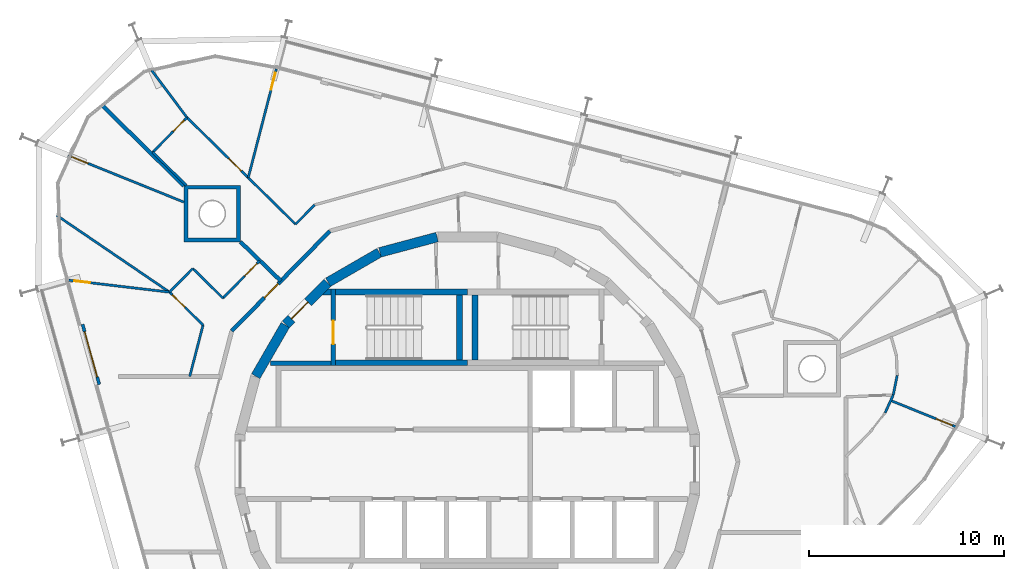
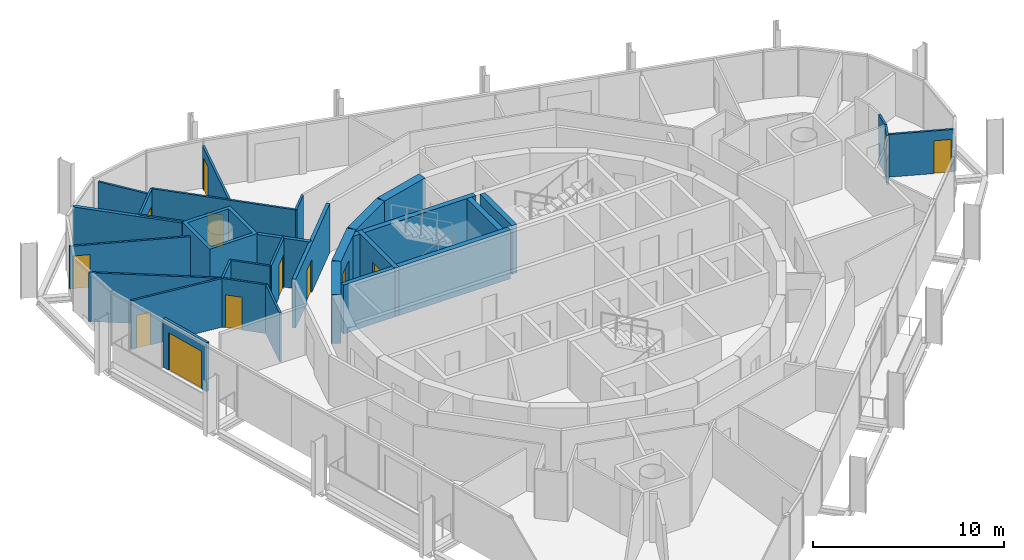
# One storey, part 12 of 15: 33 walls, 12 doors, 12 openings.
"""IFC4 building model written with IfcOpenShell, lengths in metres."""

from ifc_helpers import new_model, si_unit, direction, frame, frame_2d, origin, place, context, subcontext, project, spatial, polyline, rectangle, outline, extrude, material, layer, layer_set, type_object, element, fill, save


model = new_model("IFC4")

# Units and contexts
model_context = context("Model", 3, precision=1e-05, world=origin(), true_north=direction((0.0, 1.0)))
body_context = subcontext(model_context, "Body", "Model", "MODEL_VIEW")
ifc_project = project(units=[si_unit("LENGTHUNIT", "METRE"), si_unit("AREAUNIT", "SQUARE_METRE"), si_unit("VOLUMEUNIT", "CUBIC_METRE"), si_unit("PLANEANGLEUNIT", "RADIAN"), si_unit("MASSUNIT", "GRAM", prefix="KILO")], contexts=[model_context])

# Site, building, storey
site_placement = place(None, origin())
site = spatial("IfcSite", under=ifc_project, at=site_placement, CompositionType="ELEMENT")
building_placement = place(site_placement, origin())
building = spatial("IfcBuilding", under=site, at=building_placement, Name="Spindle Arch Residences", CompositionType="ELEMENT")
storey_placement = place(building_placement, frame((0.0, 0.0, 315.699951171875)))
storey = spatial("IfcBuildingStorey", under=building, at=storey_placement, Name="L81", CompositionType="ELEMENT", Elevation=315.699951171875)

# Walls
ifc_material_1 = material(Name="Concrete C50/60", Category="concrete")
ifc_layer_1 = layer(ifc_material_1, 0.5)
ifc_layer_set_1 = layer_set([ifc_layer_1], Name="Core outline wall 500")
wall_type_1 = type_object("IfcWallType", Name="Core outline wall 500", PredefinedType="SHEAR", material=ifc_layer_set_1)
for number, where, z_axis, x_axis, name in (
    (1, (-1.5498046875, 11.642822265625, 0.0), (0.0, 0.0, 1.0), (-0.965948410781, -0.258734743916, 0.0), "Core outline wall 13"),
    (2, (-4.510498046875, 10.84521484375, 0.0), (0.0, 0.0, 1.0), (-0.865975092491, -0.500087131594, 0.0), "Core outline wall 14"),
):
    element("IfcWall", number, at=place(storey_placement, frame(where, z_axis=z_axis, x_axis=x_axis)), inside=storey, type_object=wall_type_1, Name=name, PredefinedType="SHEAR", context=body_context, shape_type="SweptSolid", body=[
        extrude(rectangle(XDim=3.03271484375, YDim=0.5, at=frame_2d((1.516357421875, 0.0))), origin(), (0.0, 0.0, 1.0), 3.1201171875),
    ])

# Wall, opening, door
wall_1_placement = place(storey_placement, frame((-7.163818359375, 9.30810546875, 0.0), z_axis=(0.0, 0.0, 1.0), x_axis=(-0.707106781187, -0.707106781187, 0.0)))
wall_1 = element("IfcWall", 3, at=wall_1_placement, inside=storey, type_object=wall_type_1, Name="Core outline wall 15", PredefinedType="SHEAR", context=body_context, shape_type="SweptSolid", body=[
    extrude(rectangle(XDim=3.032470703125, YDim=0.5, at=frame_2d((1.51611328125, 0.0))), origin(), (0.0, 0.0, 1.0), 3.1201171875),
])
opening_1_placement = place(wall_1_placement, frame((1.416259765625, 0.0, 0.0)))
opening_1 = element("IfcOpeningElement", 4, at=opening_1_placement, cuts=wall_1, Name="Opening R8B1-AD02", PredefinedType="OPENING", context=body_context, shape_type="SweptSolid", body=[
    extrude(rectangle(XDim=1.199951171875, YDim=2.10009765625, at=frame_2d((0.60009765625, 1.050048828125))), frame((0.0, 0.260009765625, 0.0), z_axis=(0.0, -1.0, 0.0), x_axis=(1.0, 0.0, 0.0)), (0.0, 0.0, 1.0), 0.52001953125),
])
ifc_material_2 = material(Name="Steel, fire-resisting door", Category="steel")
door_type_1 = type_object("IfcDoorType", Name="Stair airlock door 1200x2100", OperationType="SINGLE_SWING_LEFT", PredefinedType="DOOR", material=ifc_material_2)
door_1_placement = place(opening_1_placement, origin())
door_1 = element("IfcDoor", 5, at=door_1_placement, inside=storey, type_object=door_type_1, Name="Stair airlock door R8B1-AD02", OperationType="SINGLE_SWING_RIGHT", OverallHeight=2.10009765625, OverallWidth=1.199951171875, PredefinedType="DOOR", context=body_context, shape_type="SweptSolid", body=[
    extrude(rectangle(XDim=1.199951171875, YDim=2.10009765625, at=frame_2d((0.60009765625, 1.050048828125))), frame((0.0, 0.02490234375, 0.0), z_axis=(0.0, -1.0, 0.0), x_axis=(1.0, 0.0, 0.0)), (0.0, 0.0, 1.0), 0.050048828125),
])
fill(opening_1, door_1)

# Wall
wall_2_placement = place(storey_placement, frame((-9.32861328125, 7.13671875, 0.0), z_axis=(0.0, 0.0, 1.0), x_axis=(-0.500087131594, -0.865975092491, 0.0)))
element("IfcWall", 6, at=wall_2_placement, inside=storey, type_object=wall_type_1, Name="Core outline wall 16", PredefinedType="SHEAR", context=body_context, shape_type="SweptSolid", body=[
    extrude(rectangle(XDim=3.03271484375, YDim=0.5, at=frame_2d((1.516357421875, 0.0))), origin(), (0.0, 0.0, 1.0), 3.1201171875),
])

# Wall, opening, door
ifc_material_3 = material(Name="Calcium silicate block, plastered")
ifc_layer_2 = layer(ifc_material_3, 0.199951171875)
ifc_layer_set_2 = layer_set([ifc_layer_2], Name="Corridor wall 200")
wall_type_2 = type_object("IfcWallType", Name="Corridor wall 200", PredefinedType="STANDARD", material=ifc_layer_set_2)
wall_3_placement = place(storey_placement, frame((-7.041015625, 11.953125, 0.0), z_axis=(0.0, 0.0, 1.0), x_axis=(-0.70090916255, -0.713250549143, 0.0)))
wall_3 = element("IfcWall", 7, at=wall_3_placement, inside=storey, type_object=wall_type_2, Name="Corridor wall R8B1-W012", PredefinedType="STANDARD", context=body_context, shape_type="SweptSolid", body=[
    extrude(rectangle(XDim=7.180908203125, YDim=0.199951171875, at=frame_2d((3.59033203125, 0.0))), origin(), (0.0, 0.0, 1.0), 3.1201171875),
])
opening_2_placement = place(wall_3_placement, frame((3.79052734375, 0.0, 0.0)))
opening_2 = element("IfcOpeningElement", 8, at=opening_2_placement, cuts=wall_3, Name="Opening R8B1-FD03", PredefinedType="OPENING", context=body_context, shape_type="SweptSolid", body=[
    extrude(rectangle(XDim=1.0, YDim=2.10009765625, at=frame_2d((0.5, 1.050048828125))), frame((0.0, 0.10986328125, 0.0), z_axis=(0.0, -1.0, 0.0), x_axis=(1.0, 0.0, 0.0)), (0.0, 0.0, 1.0), 0.219970703125),
])
ifc_material_4 = material(Name="Timber, fire-resisting door set", Category="wood")
door_type_2 = type_object("IfcDoorType", Name="Flat entrance door 1000x2100", OperationType="NOTDEFINED", PredefinedType="DOOR", material=ifc_material_4)
door_2_placement = place(opening_2_placement, origin())
door_2 = element("IfcDoor", 9, at=door_2_placement, inside=storey, type_object=door_type_2, Name="Flat entrance door R8B1-FD03", OperationType="SINGLE_SWING_LEFT", OverallHeight=2.10009765625, OverallWidth=1.0, PredefinedType="DOOR", context=body_context, shape_type="SweptSolid", body=[
    extrude(rectangle(XDim=1.0, YDim=2.10009765625, at=frame_2d((0.5, 1.050048828125))), frame((0.0, 0.02490234375, 0.0), z_axis=(0.0, -1.0, 0.0), x_axis=(1.0, 0.0, 0.0)), (0.0, 0.0, 1.0), 0.050048828125),
])
fill(opening_2, door_2)

# Wall
ifc_material_5 = material(Name="Plasterboard on steel studs", Category="steel")
ifc_layer_3 = layer(ifc_material_5, 0.1201171875)
ifc_layer_set_3 = layer_set([ifc_layer_3], Name="Flat partition 120")
wall_type_3 = type_object("IfcWallType", Name="Flat partition 120", PredefinedType="PARTITIONING", material=ifc_layer_set_3)
wall_4_placement = place(storey_placement, frame((-7.8291015625, 13.291259765625, 0.0), z_axis=(0.0, 0.0, 1.0), x_axis=(-0.700840583087, -0.713317935494, 0.0)))
element("IfcWall", 10, at=wall_4_placement, inside=storey, type_object=wall_type_3, Name="Flat partition R8B1-W043", PredefinedType="PARTITIONING", context=body_context, shape_type="SweptSolid", body=[
    extrude(rectangle(XDim=1.38916015625, YDim=0.1201171875, at=frame_2d((0.694580078125, 0.0))), origin(), (0.0, 0.0, 1.0), 3.1201171875),
])

# Wall, opening, door
wall_5_placement = place(storey_placement, frame((-8.802734375, 12.30029296875, 0.0), z_axis=(0.0, 0.0, 1.0), x_axis=(-0.713240430861, 0.700919458844, 0.0)))
wall_5 = element("IfcWall", 11, at=wall_5_placement, inside=storey, type_object=wall_type_3, Name="Flat partition R8B1-W044", PredefinedType="PARTITIONING", context=body_context, shape_type="SweptSolid", body=[
    extrude(rectangle(XDim=7.80712890625, YDim=0.1201171875, at=frame_2d((3.903564453125, 0.0))), origin(), (0.0, 0.0, 1.0), 3.1201171875),
])
opening_3_placement = place(wall_5_placement, frame((3.901123046875, 0.0, 0.0)))
opening_3 = element("IfcOpeningElement", 12, at=opening_3_placement, cuts=wall_5, Name="Opening R8B1-ID07", PredefinedType="OPENING", context=body_context, shape_type="SweptSolid", body=[
    extrude(rectangle(XDim=0.89990234375, YDim=2.10009765625, at=frame_2d((0.449951171875, 1.050048828125))), frame((0.0, 0.070068359375, 0.0), z_axis=(0.0, -1.0, 0.0), x_axis=(1.0, 0.0, 0.0)), (0.0, 0.0, 1.0), 0.14013671875),
])
ifc_material_6 = material(Name="Timber door set", Category="wood")
door_type_3 = type_object("IfcDoorType", Name="Room door 900x2100", OperationType="NOTDEFINED", PredefinedType="DOOR", material=ifc_material_6)
door_3_placement = place(opening_3_placement, origin())
door_3 = element("IfcDoor", 13, at=door_3_placement, inside=storey, type_object=door_type_3, Name="Room door R8B1-ID07", OperationType="SINGLE_SWING_LEFT", OverallHeight=2.10009765625, OverallWidth=0.89990234375, PredefinedType="DOOR", context=body_context, shape_type="SweptSolid", body=[
    extrude(rectangle(XDim=0.89990234375, YDim=2.10009765625, at=frame_2d((0.449951171875, 1.050048828125))), frame((0.0, 0.02490234375, 0.0), z_axis=(0.0, -1.0, 0.0), x_axis=(1.0, 0.0, 0.0)), (0.0, 0.0, 1.0), 0.050048828125),
])
fill(opening_3, door_3)

wall_6_placement = place(storey_placement, frame((-14.37109375, 17.7724609375, 0.0), z_axis=(0.0, 0.0, 1.0), x_axis=(-0.700928101034, -0.713231937859, 0.0)))
wall_6 = element("IfcWall", 14, at=wall_6_placement, inside=storey, type_object=wall_type_3, Name="Flat partition R8B1-W045", PredefinedType="PARTITIONING", context=body_context, shape_type="SweptSolid", body=[
    extrude(rectangle(XDim=2.500244140625, YDim=0.1201171875, at=frame_2d((1.25, 0.0))), origin(), (0.0, 0.0, 1.0), 3.1201171875),
])
opening_4_placement = place(wall_6_placement, frame((0.199951171875, 0.0, 0.0)))
opening_4 = element("IfcOpeningElement", 15, at=opening_4_placement, cuts=wall_6, Name="Opening R8B1-BD02", PredefinedType="OPENING", context=body_context, shape_type="SweptSolid", body=[
    extrude(rectangle(XDim=0.800048828125, YDim=2.10009765625, at=frame_2d((0.39990234375, 1.050048828125))), frame((0.0, 0.070068359375, 0.0), z_axis=(0.0, -1.0, 0.0), x_axis=(1.0, 0.0, 0.0)), (0.0, 0.0, 1.0), 0.14013671875),
])
ifc_material_7 = material(Name="Timber door set", Category="wood")
door_type_4 = type_object("IfcDoorType", Name="Bathroom door 800x2100", OperationType="NOTDEFINED", PredefinedType="DOOR", material=ifc_material_7)
door_4_placement = place(opening_4_placement, origin())
door_4 = element("IfcDoor", 16, at=door_4_placement, inside=storey, type_object=door_type_4, Name="Bathroom door R8B1-BD02", OperationType="SINGLE_SWING_RIGHT", OverallHeight=2.10009765625, OverallWidth=0.800048828125, PredefinedType="DOOR", context=body_context, shape_type="SweptSolid", body=[
    extrude(rectangle(XDim=0.800048828125, YDim=2.10009765625, at=frame_2d((0.39990234375, 1.050048828125))), frame((0.0, 0.02490234375, 0.0), z_axis=(0.0, -1.0, 0.0), x_axis=(1.0, 0.0, 0.0)), (0.0, 0.0, 1.0), 0.050048828125),
])
fill(opening_4, door_4)

# Wall
wall_7_placement = place(storey_placement, frame((-16.12353515625, 15.9892578125, 0.0), z_axis=(0.0, 0.0, 1.0), x_axis=(0.713298294795, -0.700860572898, 0.0)))
element("IfcWall", 17, at=wall_7_placement, inside=storey, type_object=wall_type_3, Name="Flat partition R8B1-W046", PredefinedType="PARTITIONING", context=body_context, shape_type="SweptSolid", body=[
    extrude(rectangle(XDim=2.414306640625, YDim=0.1201171875, at=frame_2d((1.20703125, 0.0))), origin(), (0.0, 0.0, 1.0), 3.1201171875),
])

# Wall, opening, door
wall_8_placement = place(storey_placement, frame((-10.64208984375, 10.4287109375, 0.0), z_axis=(0.0, 0.0, 1.0), x_axis=(-0.700897237058, -0.713262268092, 0.0)))
wall_8 = element("IfcWall", 18, at=wall_8_placement, inside=storey, type_object=wall_type_3, Name="Flat partition R8B1-W051", PredefinedType="PARTITIONING", context=body_context, shape_type="SweptSolid", body=[
    extrude(rectangle(XDim=2.685302734375, YDim=0.1201171875, at=frame_2d((1.3427734375, 0.0))), origin(), (0.0, 0.0, 1.0), 3.1201171875),
])
opening_5_placement = place(wall_8_placement, frame((0.199951171875, 0.0, 0.0)))
opening_5 = element("IfcOpeningElement", 19, at=opening_5_placement, cuts=wall_8, Name="Opening R8B1-ID09", PredefinedType="OPENING", context=body_context, shape_type="SweptSolid", body=[
    extrude(rectangle(XDim=0.89990234375, YDim=2.10009765625, at=frame_2d((0.449951171875, 1.050048828125))), frame((0.0, 0.070068359375, 0.0), z_axis=(0.0, -1.0, 0.0), x_axis=(1.0, 0.0, 0.0)), (0.0, 0.0, 1.0), 0.14013671875),
])
door_5_placement = place(opening_5_placement, origin())
door_5 = element("IfcDoor", 20, at=door_5_placement, inside=storey, type_object=door_type_3, Name="Room door R8B1-ID09", OperationType="SINGLE_SWING_LEFT", OverallHeight=2.10009765625, OverallWidth=0.89990234375, PredefinedType="DOOR", context=body_context, shape_type="SweptSolid", body=[
    extrude(rectangle(XDim=0.89990234375, YDim=2.10009765625, at=frame_2d((0.449951171875, 1.050048828125))), frame((0.0, 0.02490234375, 0.0), z_axis=(0.0, -1.0, 0.0), x_axis=(1.0, 0.0, 0.0)), (0.0, 0.0, 1.0), 0.050048828125),
])
fill(opening_5, door_5)

# Walls
wall_9_placement = place(storey_placement, frame((-12.524169921875, 8.513427734375, 0.0), z_axis=(0.0, 0.0, 1.0), x_axis=(-0.713272241211, 0.700887087852, 0.0)))
element("IfcWall", 21, at=wall_9_placement, inside=storey, type_object=wall_type_3, Name="Flat partition R8B1-W052", PredefinedType="PARTITIONING", context=body_context, shape_type="SweptSolid", body=[
    extrude(rectangle(XDim=2.16845703125, YDim=0.1201171875, at=frame_2d((1.084228515625, 0.0))), origin(), (0.0, 0.0, 1.0), 3.1201171875),
])
wall_10_placement = place(storey_placement, frame((-14.07080078125, 10.033203125, 0.0), z_axis=(0.0, 0.0, 1.0), x_axis=(-0.700903812832, -0.713255806255, 0.0)))
element("IfcWall", 22, at=wall_10_placement, inside=storey, type_object=wall_type_3, Name="Flat partition R8B1-W053", PredefinedType="PARTITIONING", context=body_context, shape_type="SweptSolid", body=[
    extrude(rectangle(XDim=1.69970703125, YDim=0.1201171875, at=frame_2d((0.849853515625, 0.0))), origin(), (0.0, 0.0, 1.0), 3.1201171875),
])

# Wall, opening, door
wall_11_placement = place(storey_placement, frame((-15.26220703125, 8.82080078125, 0.0), z_axis=(0.0, 0.0, 1.0), x_axis=(0.713216332019, -0.700943980459, 0.0)))
wall_11 = element("IfcWall", 23, at=wall_11_placement, inside=storey, type_object=wall_type_3, Name="Flat partition R8B1-W054", PredefinedType="PARTITIONING", context=body_context, shape_type="SweptSolid", body=[
    extrude(rectangle(XDim=2.4072265625, YDim=0.1201171875, at=frame_2d((1.20361328125, 0.0))), origin(), (0.0, 0.0, 1.0), 3.1201171875),
])
opening_6_placement = place(wall_11_placement, frame((0.199951171875, 0.0, 0.0)))
opening_6 = element("IfcOpeningElement", 24, at=opening_6_placement, cuts=wall_11, Name="Opening R8B1-ID10", PredefinedType="OPENING", context=body_context, shape_type="SweptSolid", body=[
    extrude(rectangle(XDim=0.89990234375, YDim=2.10009765625, at=frame_2d((0.449951171875, 1.050048828125))), frame((0.0, 0.070068359375, 0.0), z_axis=(0.0, -1.0, 0.0), x_axis=(1.0, 0.0, 0.0)), (0.0, 0.0, 1.0), 0.14013671875),
])
door_6_placement = place(opening_6_placement, origin())
door_6 = element("IfcDoor", 25, at=door_6_placement, inside=storey, type_object=door_type_3, Name="Room door R8B1-ID10", OperationType="SINGLE_SWING_LEFT", OverallHeight=2.10009765625, OverallWidth=0.89990234375, PredefinedType="DOOR", context=body_context, shape_type="SweptSolid", body=[
    extrude(rectangle(XDim=0.89990234375, YDim=2.10009765625, at=frame_2d((0.449951171875, 1.050048828125))), frame((0.0, 0.02490234375, 0.0), z_axis=(0.0, -1.0, 0.0), x_axis=(1.0, 0.0, 0.0)), (0.0, 0.0, 1.0), 0.050048828125),
])
fill(opening_6, door_6)

# Walls
wall_12_placement = place(storey_placement, frame((-13.54541015625, 7.133544921875, 0.0), z_axis=(0.0, 0.0, 1.0), x_axis=(-0.250320452157, -0.968163039592, 0.0)))
element("IfcWall", 26, at=wall_12_placement, inside=storey, type_object=wall_type_3, Name="Flat partition R8B1-W055", PredefinedType="PARTITIONING", context=body_context, shape_type="SweptSolid", body=[
    extrude(rectangle(XDim=2.72021484375, YDim=0.1201171875, at=frame_2d((1.360107421875, 0.0))), origin(), (0.0, 0.0, 1.0), 3.1201171875),
])
wall_13_placement = place(storey_placement, frame((-21.05078125, 12.760009765625, 0.0), z_axis=(0.0, 0.0, 1.0), x_axis=(0.826728647395, -0.562600874134, 0.0)))
element("IfcWall", 27, at=wall_13_placement, inside=storey, type_object=wall_type_3, Name="Flat partition R8B1-W057", PredefinedType="PARTITIONING", context=body_context, shape_type="SweptSolid", body=[
    extrude(rectangle(XDim=7.001708984375, YDim=0.1201171875, at=frame_2d((3.5009765625, 0.0))), origin(), (0.0, 0.0, 1.0), 3.1201171875),
])

# Wall, opening, door
wall_14_placement = place(storey_placement, frame((-20.427978515625, 9.431396484375, 0.0), z_axis=(0.0, 0.0, 1.0), x_axis=(0.993086702471, -0.117383139226, 0.0)))
wall_14 = element("IfcWall", 28, at=wall_14_placement, inside=storey, type_object=wall_type_3, Name="Flat partition R8B1-W058", PredefinedType="PARTITIONING", context=body_context, shape_type="SweptSolid", body=[
    extrude(rectangle(XDim=5.20166015625, YDim=0.1201171875, at=frame_2d((2.600830078125, 0.0))), origin(), (0.0, 0.0, 1.0), 3.1201171875),
])
opening_7_placement = place(wall_14_placement, frame((0.300048828125, 0.0, 0.0)))
opening_7 = element("IfcOpeningElement", 29, at=opening_7_placement, cuts=wall_14, Name="Opening R8B1-BD03", PredefinedType="OPENING", context=body_context, shape_type="SweptSolid", body=[
    extrude(rectangle(XDim=0.800048828125, YDim=2.10009765625, at=frame_2d((0.39990234375, 1.050048828125))), frame((0.0, 0.070068359375, 0.0), z_axis=(0.0, -1.0, 0.0), x_axis=(1.0, 0.0, 0.0)), (0.0, 0.0, 1.0), 0.14013671875),
])
door_7_placement = place(opening_7_placement, origin())
door_7 = element("IfcDoor", 30, at=door_7_placement, inside=storey, type_object=door_type_4, Name="Bathroom door R8B1-BD03", OperationType="SINGLE_SWING_LEFT", OverallHeight=2.10009765625, OverallWidth=0.800048828125, PredefinedType="DOOR", context=body_context, shape_type="SweptSolid", body=[
    extrude(rectangle(XDim=0.800048828125, YDim=2.10009765625, at=frame_2d((0.39990234375, 1.050048828125))), frame((0.0, 0.02490234375, 0.0), z_axis=(0.0, -1.0, 0.0), x_axis=(1.0, 0.0, 0.0)), (0.0, 0.0, 1.0), 0.050048828125),
])
fill(opening_7, door_7)

# Walls
wall_15_placement = place(storey_placement, frame((21.827880859375, 3.558349609375, 0.0), z_axis=(0.0, 0.0, 1.0), x_axis=(-0.414726005229, -0.909946339399, 0.0)))
element("IfcWall", 31, at=wall_15_placement, inside=storey, type_object=wall_type_3, Name="Flat partition R8B1-W079", PredefinedType="PARTITIONING", context=body_context, shape_type="SweptSolid", body=[
    extrude(rectangle(XDim=1.01611328125, YDim=0.1201171875, at=frame_2d((0.508056640625, 0.0))), origin(), (0.0, 0.0, 1.0), 3.1201171875),
])
wall_16_placement = place(storey_placement, frame((22.024658203125, 4.554931640625, 0.0), z_axis=(0.0, 0.0, 1.0), x_axis=(-0.193712169286, -0.981058405739, 0.0)))
element("IfcWall", 32, at=wall_16_placement, inside=storey, type_object=wall_type_3, Name="Flat partition R8B1-W086", PredefinedType="PARTITIONING", context=body_context, shape_type="SweptSolid", body=[
    extrude(rectangle(XDim=1.015869140625, YDim=0.1201171875, at=frame_2d((0.5078125, 0.0))), origin(), (0.0, 0.0, 1.0), 3.1201171875),
])

# Wall, opening, door
ifc_material_8 = material(Name="Plasterboard on steel studs", Category="steel")
ifc_layer_4 = layer(ifc_material_8, 0.1201171875)
ifc_layer_set_4 = layer_set([ifc_layer_4], Name="Flat partition 120 under beam 2730")
wall_type_4 = type_object("IfcWallType", Name="Flat partition 120 under beam 2730", PredefinedType="PARTITIONING", material=ifc_layer_set_4)
wall_17_placement = place(storey_placement, frame((-9.78662109375, 20.26025390625, 0.0), z_axis=(0.0, 0.0, 1.0), x_axis=(-0.250397207818, -0.968143191019, 0.0)))
wall_17 = element("IfcWall", 33, at=wall_17_placement, inside=storey, type_object=wall_type_4, Name="Flat partition R8B1-W049", PredefinedType="PARTITIONING", context=body_context, shape_type="SweptSolid", body=[
    extrude(rectangle(XDim=5.759521484375, YDim=0.1201171875, at=frame_2d((2.8798828125, 0.0))), origin(), (0.0, 0.0, 1.0), 2.72998046875),
])
opening_8_placement = place(wall_17_placement, frame((0.199951171875, 0.0, 0.0)))
opening_8 = element("IfcOpeningElement", 34, at=opening_8_placement, cuts=wall_17, Name="Opening R8B1-ID08", PredefinedType="OPENING", context=body_context, shape_type="SweptSolid", body=[
    extrude(rectangle(XDim=0.89990234375, YDim=2.10009765625, at=frame_2d((0.449951171875, 1.050048828125))), frame((0.0, 0.070068359375, 0.0), z_axis=(0.0, -1.0, 0.0), x_axis=(1.0, 0.0, 0.0)), (0.0, 0.0, 1.0), 0.14013671875),
])
door_8_placement = place(opening_8_placement, origin())
door_8 = element("IfcDoor", 35, at=door_8_placement, inside=storey, type_object=door_type_3, Name="Room door R8B1-ID08", OperationType="SINGLE_SWING_RIGHT", OverallHeight=2.10009765625, OverallWidth=0.89990234375, PredefinedType="DOOR", context=body_context, shape_type="SweptSolid", body=[
    extrude(rectangle(XDim=0.89990234375, YDim=2.10009765625, at=frame_2d((0.449951171875, 1.050048828125))), frame((0.0, 0.02490234375, 0.0), z_axis=(0.0, -1.0, 0.0), x_axis=(1.0, 0.0, 0.0)), (0.0, 0.0, 1.0), 0.050048828125),
])
fill(opening_8, door_8)

# Wall
wall_18_placement = place(storey_placement, frame((-16.177490234375, 20.183837890625, 0.0), z_axis=(0.0, 0.0, 1.0), x_axis=(0.599546131574, -0.800340200237, 0.0)))
element("IfcWall", 36, at=wall_18_placement, inside=storey, type_object=wall_type_4, Name="Flat partition R8B1-W050", PredefinedType="PARTITIONING", context=body_context, shape_type="SweptSolid", body=[
    extrude(rectangle(XDim=3.012939453125, YDim=0.1201171875, at=frame_2d((1.50634765625, 0.0))), origin(), (0.0, 0.0, 1.0), 2.72998046875),
])

# Wall, opening, door
wall_19_placement = place(storey_placement, frame((-20.46044921875, 15.83056640625, 0.0), z_axis=(0.0, 0.0, 1.0), x_axis=(0.927230380144, -0.374491417977, 0.0)))
wall_19 = element("IfcWall", 37, at=wall_19_placement, inside=storey, type_object=wall_type_4, Name="Flat partition R8B1-W056", PredefinedType="PARTITIONING", context=body_context, shape_type="SweptSolid", body=[
    extrude(rectangle(XDim=6.4033203125, YDim=0.1201171875, at=frame_2d((3.20166015625, 0.0))), origin(), (0.0, 0.0, 1.0), 2.72998046875),
])
opening_9_placement = place(wall_19_placement, frame((0.199951171875, 0.0, 0.0)))
opening_9 = element("IfcOpeningElement", 38, at=opening_9_placement, cuts=wall_19, Name="Opening R8B1-ID11", PredefinedType="OPENING", context=body_context, shape_type="SweptSolid", body=[
    extrude(rectangle(XDim=0.89990234375, YDim=2.10009765625, at=frame_2d((0.449951171875, 1.050048828125))), frame((0.0, 0.070068359375, 0.0), z_axis=(0.0, -1.0, 0.0), x_axis=(1.0, 0.0, 0.0)), (0.0, 0.0, 1.0), 0.14013671875),
])
door_9_placement = place(opening_9_placement, origin())
door_9 = element("IfcDoor", 39, at=door_9_placement, inside=storey, type_object=door_type_3, Name="Room door R8B1-ID11", OperationType="SINGLE_SWING_LEFT", OverallHeight=2.10009765625, OverallWidth=0.89990234375, PredefinedType="DOOR", context=body_context, shape_type="SweptSolid", body=[
    extrude(rectangle(XDim=0.89990234375, YDim=2.10009765625, at=frame_2d((0.449951171875, 1.050048828125))), frame((0.0, 0.02490234375, 0.0), z_axis=(0.0, -1.0, 0.0), x_axis=(1.0, 0.0, 0.0)), (0.0, 0.0, 1.0), 0.050048828125),
])
fill(opening_9, door_9)

wall_20_placement = place(storey_placement, frame((25.0361328125, 1.917236328125, 0.0), z_axis=(0.0, 0.0, 1.0), x_axis=(-0.927096540393, 0.374822631108, 0.0)))
wall_20 = element("IfcWall", 40, at=wall_20_placement, inside=storey, type_object=wall_type_4, Name="Flat partition R8B1-W082", PredefinedType="PARTITIONING", context=body_context, shape_type="SweptSolid", body=[
    extrude(rectangle(XDim=3.603271484375, YDim=0.1201171875, at=frame_2d((1.8017578125, 0.0))), origin(), (0.0, 0.0, 1.0), 2.72998046875),
])
opening_10_placement = place(wall_20_placement, frame((0.199951171875, 0.0, 0.0)))
opening_10 = element("IfcOpeningElement", 41, at=opening_10_placement, cuts=wall_20, Name="Opening R8B1-ID21", PredefinedType="OPENING", context=body_context, shape_type="SweptSolid", body=[
    extrude(rectangle(XDim=0.89990234375, YDim=2.10009765625, at=frame_2d((0.449951171875, 1.050048828125))), frame((0.0, 0.070068359375, 0.0), z_axis=(0.0, -1.0, 0.0), x_axis=(1.0, 0.0, 0.0)), (0.0, 0.0, 1.0), 0.14013671875),
])
door_10_placement = place(opening_10_placement, origin())
door_10 = element("IfcDoor", 42, at=door_10_placement, inside=storey, type_object=door_type_3, Name="Room door R8B1-ID21", OperationType="SINGLE_SWING_RIGHT", OverallHeight=2.10009765625, OverallWidth=0.89990234375, PredefinedType="DOOR", context=body_context, shape_type="SweptSolid", body=[
    extrude(rectangle(XDim=0.89990234375, YDim=2.10009765625, at=frame_2d((0.449951171875, 1.050048828125))), frame((0.0, 0.02490234375, 0.0), z_axis=(0.0, -1.0, 0.0), x_axis=(1.0, 0.0, 0.0)), (0.0, 0.0, 1.0), 0.050048828125),
])
fill(opening_10, door_10)

# Walls
ifc_material_9 = material(Name="Calcium silicate block, plastered")
ifc_layer_5 = layer(ifc_material_9, 0.199951171875)
ifc_layer_set_5 = layer_set([ifc_layer_5], Name="Flat party wall 200")
wall_type_5 = type_object("IfcWallType", Name="Flat party wall 200", PredefinedType="STANDARD", material=ifc_layer_set_5)
wall_21_placement = place(storey_placement, frame((-11.627197265625, 11.396484375, 0.0), z_axis=(0.0, 0.0, 1.0), x_axis=(0.718328882961, -0.695703683981, 0.0)))
element("IfcWall", 43, at=wall_21_placement, inside=storey, type_object=wall_type_5, Name="Flat party wall R8B1-W024", PredefinedType="STANDARD", context=body_context, shape_type="SweptSolid", body=[
    extrude(rectangle(XDim=2.881103515625, YDim=0.199951171875, at=frame_2d((1.4404296875, 0.0))), origin(), (0.0, 0.0, 1.0), 3.1201171875),
])
wall_22_placement = place(storey_placement, frame((-18.74072265625, 18.41650390625, 0.0), z_axis=(0.0, 0.0, 1.0), x_axis=(0.713252414586, -0.700907264256, 0.0)))
element("IfcWall", 44, at=wall_22_placement, inside=storey, type_object=wall_type_5, Name="Flat party wall R8B1-W025", PredefinedType="STANDARD", context=body_context, shape_type="SweptSolid", body=[
    extrude(rectangle(XDim=5.9130859375, YDim=0.199951171875, at=frame_2d((2.95654296875, 0.0))), origin(), (0.0, 0.0, 1.0), 3.1201171875),
])

# Wall, opening, door
ifc_material_10 = material(Name="Non-combustible mineral wool insulated aluminium faced external wall (K0)", Category="aluminium")
ifc_layer_6 = layer(ifc_material_10, 0.159912109375)
ifc_layer_set_6 = layer_set([ifc_layer_6], Name="Insulated external wall panel 160")
wall_type_6 = type_object("IfcWallType", Name="Insulated external wall panel 160", PredefinedType="STANDARD", material=ifc_layer_set_6)
wall_23_placement = place(storey_placement, frame((-19.71826171875, 7.17138671875, 0.0), z_axis=(0.0, 0.0, 1.0), x_axis=(0.267266077957, -0.963622770369, 0.0)))
wall_23 = element("IfcWall", 45, at=wall_23_placement, inside=storey, type_object=wall_type_6, Name="External wall L81 bay 12", PredefinedType="STANDARD", context=body_context, shape_type="SweptSolid", body=[
    extrude(rectangle(XDim=3.199951171875, YDim=0.159912109375, at=frame_2d((1.60009765625, 0.0))), origin(), (0.0, 0.0, 1.0), 3.1201171875),
])
opening_11_placement = place(wall_23_placement, frame((0.39990234375, 0.0, 0.0)))
opening_11 = element("IfcOpeningElement", 46, at=opening_11_placement, cuts=wall_23, Name="Opening BD12", PredefinedType="OPENING", context=body_context, shape_type="SweptSolid", body=[
    extrude(rectangle(XDim=2.39990234375, YDim=2.39990234375, at=frame_2d((1.199951171875, 1.199951171875))), frame((0.0, 0.08984375, 0.0), z_axis=(0.0, -1.0, 0.0), x_axis=(1.0, 0.0, 0.0)), (0.0, 0.0, 1.0), 0.179931640625),
])
ifc_material_11 = material(Name="Bronze aluminium frame, tinted double glazing", Category="aluminium")
door_type_5 = type_object("IfcDoorType", Name="Sliding glazed balcony door 2400x2400", OperationType="DOUBLE_DOOR_SLIDING", PredefinedType="DOOR", material=ifc_material_11)
door_11_placement = place(opening_11_placement, origin())
door_11 = element("IfcDoor", 47, at=door_11_placement, inside=storey, type_object=door_type_5, Name="Balcony door BD12", OperationType="DOUBLE_DOOR_SLIDING", OverallHeight=2.39990234375, OverallWidth=2.39990234375, PredefinedType="DOOR", context=body_context, shape_type="SweptSolid", body=[
    extrude(rectangle(XDim=2.39990234375, YDim=2.39990234375, at=frame_2d((1.199951171875, 1.199951171875))), frame((0.0, 0.02490234375, 0.0), z_axis=(0.0, -1.0, 0.0), x_axis=(1.0, 0.0, 0.0)), (0.0, 0.0, 1.0), 0.050048828125),
])
fill(opening_11, door_11)

# Walls
ifc_material_12 = material(Name="Calcium silicate block, plastered")
ifc_layer_7 = layer(ifc_material_12, 0.199951171875)
ifc_layer_set_7 = layer_set([ifc_layer_7], Name="Mega-column casing wall 200")
wall_type_7 = type_object("IfcWallType", Name="Mega-column casing wall 200", PredefinedType="STANDARD", material=ifc_layer_set_7)
wall_24_placement = place(storey_placement, origin())
element("IfcWall", 48, at=wall_24_placement, inside=storey, type_object=wall_type_7, Name="Mega-column casing wall R8B1-WC02", PredefinedType="STANDARD", context=body_context, shape_type="SweptSolid", body=[
    extrude(outline(polyline([(-11.623291015625, 14.297119140625), (-11.623291015625, 11.397216796875), (-14.523193359375, 11.397216796875), (-14.523193359375, 14.297119140625), (-11.623291015625, 14.297119140625)]), holes=[polyline([(-14.3232421875, 11.59716796875), (-11.8232421875, 11.59716796875), (-11.8232421875, 14.09716796875), (-14.3232421875, 14.09716796875), (-14.3232421875, 11.59716796875)])]), origin(), (0.0, 0.0, 1.0), 3.1201171875),
])
ifc_material_13 = material(Name="Concrete C40/50", Category="concrete")
ifc_layer_8 = layer(ifc_material_13, 0.25)
ifc_layer_set_8 = layer_set([ifc_layer_8], Name="Stair airlock wall 250")
wall_type_8 = type_object("IfcWallType", Name="Stair airlock wall 250", PredefinedType="SHEAR", material=ifc_layer_set_8)
wall_25_placement = place(storey_placement, frame((-7.0, 5.175048828125, 0.0), z_axis=(0.0, 0.0, 1.0), x_axis=(-1.0, 0.0, 0.0)))
element("IfcWall", 49, at=wall_25_placement, inside=storey, type_object=wall_type_8, Name="Stair ST-2 airlock wall S", PredefinedType="SHEAR", context=body_context, shape_type="SweptSolid", body=[
    extrude(rectangle(XDim=3.10009765625, YDim=0.25, at=frame_2d((1.550048828125, 0.0))), origin(), (0.0, 0.0, 1.0), 3.1201171875),
])
ifc_material_14 = material(Name="Concrete C40/50", Category="concrete")
wall_type_9 = type_object("IfcWallType", Name="Stair airlock wall profile", PredefinedType="SHEAR", material=ifc_material_14)
wall_26_placement = place(storey_placement, origin())
element("IfcWall", 50, at=wall_26_placement, inside=storey, type_object=wall_type_9, Name="Stair ST-2 airlock wall N", PredefinedType="SHEAR", context=body_context, shape_type="SweptSolid", body=[
    extrude(outline(polyline([(-7.148193359375, 8.969970703125), (-7.0, 8.969970703125), (-7.0, 8.669921875), (-7.4482421875, 8.669921875), (-7.148193359375, 8.969970703125)])), origin(), (0.0, 0.0, 1.0), 3.1201171875),
])

# Wall, opening, door
ifc_material_15 = material(Name="Concrete C50/60", Category="concrete")
ifc_layer_9 = layer(ifc_material_15, 0.25)
ifc_layer_set_9 = layer_set([ifc_layer_9], Name="Stair enclosure wall 250")
wall_type_10 = type_object("IfcWallType", Name="Stair enclosure wall 250", PredefinedType="SHEAR", material=ifc_layer_set_9)
wall_27_placement = place(storey_placement, frame((-6.875, 8.969970703125, 0.0), z_axis=(0.0, 0.0, 1.0), x_axis=(0.0, -1.0, 0.0)))
wall_27 = element("IfcWall", 51, at=wall_27_placement, inside=storey, type_object=wall_type_10, Name="Stair ST-2 door wall", PredefinedType="SHEAR", context=body_context, shape_type="SweptSolid", body=[
    extrude(rectangle(XDim=3.919921875, YDim=0.25, at=frame_2d((1.9599609375, 0.0))), origin(), (0.0, 0.0, 1.0), 3.1201171875),
])
opening_12_placement = place(wall_27_placement, frame((1.610107421875, 0.0, 0.0)))
opening_12 = element("IfcOpeningElement", 52, at=opening_12_placement, cuts=wall_27, Name="Opening R8B1-SD02", PredefinedType="OPENING", context=body_context, shape_type="SweptSolid", body=[
    extrude(rectangle(XDim=1.199951171875, YDim=2.10009765625, at=frame_2d((0.60009765625, 1.050048828125))), frame((0.0, 0.135009765625, 0.0), z_axis=(0.0, -1.0, 0.0), x_axis=(1.0, 0.0, 0.0)), (0.0, 0.0, 1.0), 0.27001953125),
])
ifc_material_16 = material(Name="Steel, fire-resisting door", Category="steel")
door_type_6 = type_object("IfcDoorType", Name="Stair door 1200x2100", OperationType="SINGLE_SWING_RIGHT", PredefinedType="DOOR", material=ifc_material_16)
door_12_placement = place(opening_12_placement, origin())
door_12 = element("IfcDoor", 53, at=door_12_placement, inside=storey, type_object=door_type_6, Name="Stair door R8B1-SD02", OperationType="SINGLE_SWING_LEFT", OverallHeight=2.10009765625, OverallWidth=1.199951171875, PredefinedType="DOOR", context=body_context, shape_type="SweptSolid", body=[
    extrude(rectangle(XDim=1.199951171875, YDim=2.10009765625, at=frame_2d((0.60009765625, 1.050048828125))), frame((0.0, 0.02490234375, 0.0), z_axis=(0.0, -1.0, 0.0), x_axis=(1.0, 0.0, 0.0)), (0.0, 0.0, 1.0), 0.050048828125),
])
fill(opening_12, door_12)

# Walls
ifc_material_17 = material(Name="Concrete C50/60", Category="concrete")
ifc_layer_10 = layer(ifc_material_17, 0.300048828125)
ifc_layer_set_10 = layer_set([ifc_layer_10], Name="Stair enclosure wall 300")
wall_type_11 = type_object("IfcWallType", Name="Stair enclosure wall 300", PredefinedType="SHEAR", material=ifc_layer_set_10)
wall_28_placement = place(storey_placement, frame((0.39990234375, 5.35009765625, 0.0), z_axis=(0.0, 0.0, 1.0), x_axis=(0.0, 1.0, 0.0)))
element("IfcWall", 54, at=wall_28_placement, inside=storey, type_object=wall_type_11, Name="Stair ST-1 enclosure wall F", PredefinedType="SHEAR", context=body_context, shape_type="SweptSolid", body=[
    extrude(rectangle(XDim=3.31982421875, YDim=0.300048828125, at=frame_2d((1.659912109375, 0.0))), origin(), (0.0, 0.0, 1.0), 3.1201171875),
])
for number, where, z_axis, x_axis, name in (
    (55, (-6.75, 5.199951171875, 0.0), (0.0, 0.0, 1.0), (1.0, 0.0, 0.0), "Stair ST-2 enclosure wall S"),
    (56, (-6.75, 8.820068359375, 0.0), (0.0, 0.0, 1.0), (1.0, 0.0, 0.0), "Stair ST-2 enclosure wall N"),
):
    element("IfcWall", number, at=place(storey_placement, frame(where, z_axis=z_axis, x_axis=x_axis)), inside=storey, type_object=wall_type_11, Name=name, PredefinedType="SHEAR", context=body_context, shape_type="SweptSolid", body=[
        extrude(rectangle(XDim=6.75, YDim=0.300048828125, at=frame_2d((3.375, 0.0))), origin(), (0.0, 0.0, 1.0), 3.1201171875),
    ])
wall_29_placement = place(storey_placement, frame((-0.39990234375, 5.35009765625, 0.0), z_axis=(0.0, 0.0, 1.0), x_axis=(0.0, 1.0, 0.0)))
element("IfcWall", 57, at=wall_29_placement, inside=storey, type_object=wall_type_11, Name="Stair ST-2 enclosure wall F", PredefinedType="SHEAR", context=body_context, shape_type="SweptSolid", body=[
    extrude(rectangle(XDim=3.31982421875, YDim=0.300048828125, at=frame_2d((1.659912109375, 0.0))), origin(), (0.0, 0.0, 1.0), 3.1201171875),
])

save(model, "model.ifc")
